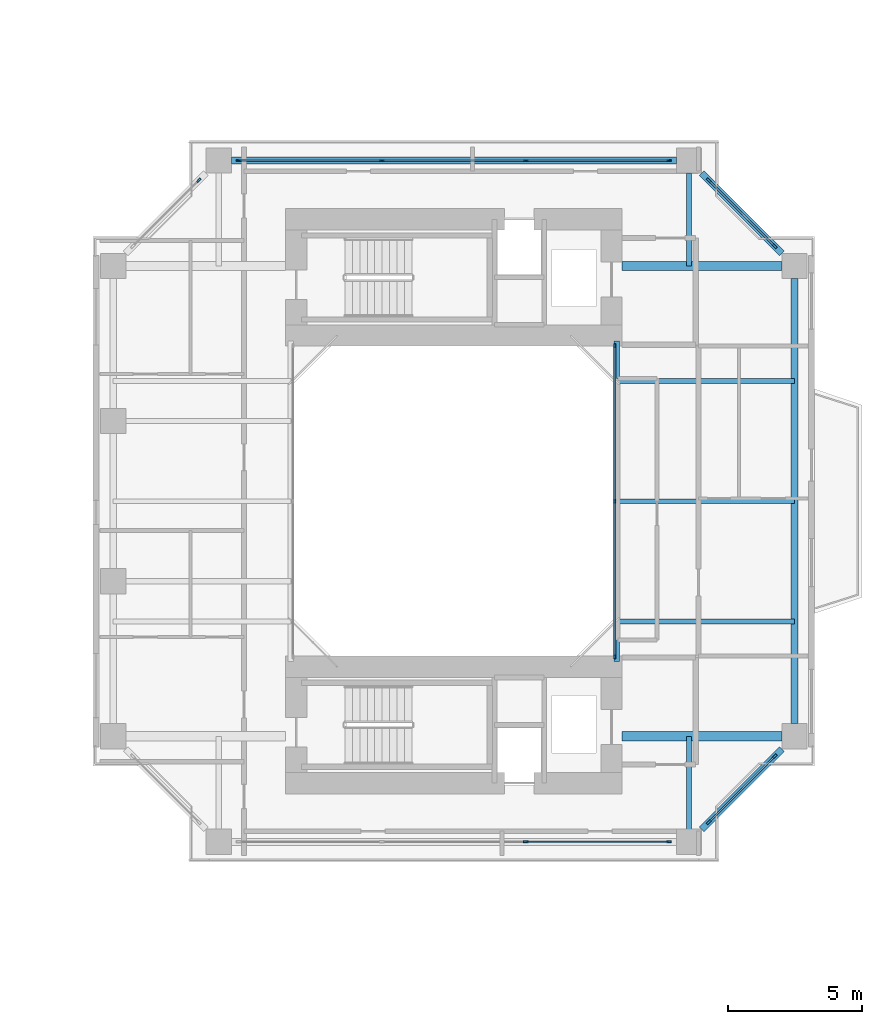
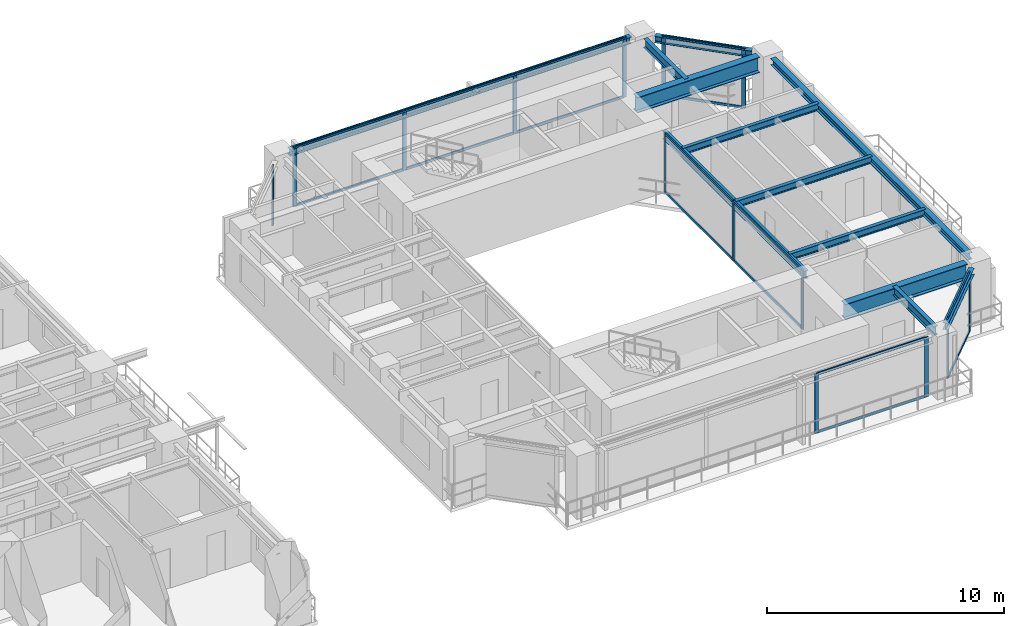
# One storey, part 10 of 24: 30 members, 12 beams, 6 elements without a shape of their own.
"""IFC4 building model written with IfcOpenShell, lengths in metres."""

from ifc_helpers import new_model, si_unit, direction, frame, origin, origin_2d, place, context, subcontext, project, spatial, rectangle, i_section, extrude, source, transform, mapped, material, layer, layer_set, material_profile, profile_set, type_object, element, aggregate, save


model = new_model("IFC4")

# Units and contexts
model_context = context("Model", 3, precision=1e-05, world=origin(), true_north=direction((0.0, 1.0)))
body_context = subcontext(model_context, "Body", "Model", "MODEL_VIEW")
ifc_project = project(units=[si_unit("LENGTHUNIT", "METRE"), si_unit("AREAUNIT", "SQUARE_METRE"), si_unit("VOLUMEUNIT", "CUBIC_METRE"), si_unit("PLANEANGLEUNIT", "RADIAN"), si_unit("MASSUNIT", "GRAM", prefix="KILO"), si_unit("THERMODYNAMICTEMPERATUREUNIT", "KELVIN"), si_unit("POWERUNIT", "WATT")], contexts=[model_context])

# Site, building, storey
site_placement = place(None, origin())
site = spatial("IfcSite", under=ifc_project, at=site_placement, CompositionType="ELEMENT")
building_placement = place(site_placement, origin())
building = spatial("IfcBuilding", under=site, at=building_placement, Name="Qiaomeng Ring Towers", CompositionType="ELEMENT")
storey_placement = place(building_placement, frame((0.0, 0.0, 56.75)))
storey = spatial("IfcBuildingStorey", under=building, at=storey_placement, Name="L15", CompositionType="ELEMENT", Elevation=56.75)

# Beams
ifc_material_1 = material(Name="Steel Q355B", Category="steel")
ifc_material_profile_1 = material_profile(ifc_material_1, i_section(OverallWidth=0.25, OverallDepth=0.340087890625, WebThickness=0.009033203125, FlangeThickness=0.013916015625, FilletRadius=0.02001953125, at=origin_2d()), Name="HM 340x250x9x14")
ifc_profile_set_1 = profile_set([ifc_material_profile_1], Name="Steel Q355B")
beam_type_1 = type_object("IfcBeamType", Name="STR-BM-HM340", PredefinedType="SPANDREL", material=ifc_profile_set_1)
shared_shape_1 = source(origin(), body_context, "Body", "SweptSolid", [
    extrude(i_section(OverallWidth=0.25, OverallDepth=0.340087890625, WebThickness=0.009033203125, FlangeThickness=0.013916015625, FilletRadius=0.02001953125, at=origin_2d()), origin(), (0.0, 0.0, 1.0), 16.65185546875),
])
for number, where, z_axis, x_axis, name in (
    (1, (73.25, 14.674072265625, 2.89990234375), (0.0, 1.0, 0.0), (-1.0, 0.0, 0.0), "L15 beam STR-SP-L15-T2-E1-E2"),
    (2, (68.825927734375, 35.75, 2.89990234375), (-1.0, 0.0, 0.0), (0.0, -1.0, 0.0), "L15 beam STR-SP-L15-T2-N2-N1"),
):
    element("IfcBeam", number, at=place(storey_placement, frame(where, z_axis=z_axis, x_axis=x_axis)), inside=storey, type_object=beam_type_1, Name=name, PredefinedType="SPANDREL", context=body_context, shape_type="MappedRepresentation", body=[
        mapped(shared_shape_1, transform((0.0, 0.0, 0.0), x_axis=(1.0, 0.0, 0.0), y_axis=(0.0, 1.0, 0.0), z_axis=(0.0, 0.0, 1.0), scale=1.0)),
    ])
shared_shape_2 = source(origin(), body_context, "Body", "SweptSolid", [
    extrude(i_section(OverallWidth=0.25, OverallDepth=0.340087890625, WebThickness=0.009033203125, FlangeThickness=0.013916015625, FilletRadius=0.02001953125, at=origin_2d()), origin(), (0.0, 0.0, 1.0), 4.244384765625),
])
for number, where, z_axis, x_axis, name in (
    (3, (69.7744140625, 10.724365234375, 2.89990234375), (0.707106781187, 0.707106781187, 0.0), (-0.707106781187, 0.707106781187, 0.0), "L15 beam STR-SP-L15-T2-S2-E1"),
    (4, (72.775634765625, 32.2744140625, 2.89990234375), (-0.707106781187, 0.707106781187, 0.0), (-0.707106781187, -0.707106781187, 0.0), "L15 beam STR-SP-L15-T2-E2-N2"),
):
    element("IfcBeam", number, at=place(storey_placement, frame(where, z_axis=z_axis, x_axis=x_axis)), inside=storey, type_object=beam_type_1, Name=name, PredefinedType="SPANDREL", context=body_context, shape_type="MappedRepresentation", body=[
        mapped(shared_shape_2, transform((0.0, 0.0, 0.0), x_axis=(1.0, 0.0, 0.0), y_axis=(0.0, 1.0, 0.0), z_axis=(0.0, 0.0, 1.0), scale=1.0)),
    ])
ifc_material_profile_2 = material_profile(ifc_material_1, i_section(OverallWidth=0.199951171875, OverallDepth=0.39990234375, WebThickness=0.008056640625, FlangeThickness=0.012939453125, FilletRadius=0.01611328125, at=origin_2d()), Name="HN 400x200x8x13")
ifc_profile_set_2 = profile_set([ifc_material_profile_2], Name="Steel Q355B")
beam_type_2 = type_object("IfcBeamType", Name="STR-BM-HN400", PredefinedType="SPANDREL", material=ifc_profile_set_2)
shared_shape_3 = source(origin(), body_context, "Body", "SweptSolid", [
    extrude(i_section(OverallWidth=0.199951171875, OverallDepth=0.39990234375, WebThickness=0.008056640625, FlangeThickness=0.012939453125, FilletRadius=0.01611328125, at=origin_2d()), origin(), (0.0, 0.0, 1.0), 12.0),
])
beam_placement = place(storey_placement, frame((66.60009765625, 17.0, 2.8701171875), z_axis=(0.0, 1.0, 0.0), x_axis=(-1.0, 0.0, 0.0)))
element("IfcBeam", 5, at=beam_placement, inside=storey, type_object=beam_type_2, Name="L15 beam STR-BM-L15-T2-WELL-E", PredefinedType="SPANDREL", context=body_context, shape_type="MappedRepresentation", body=[
    mapped(shared_shape_3, transform((0.0, 0.0, 0.0), x_axis=(1.0, 0.0, 0.0), y_axis=(0.0, 1.0, 0.0), z_axis=(0.0, 0.0, 1.0), scale=1.0)),
])
ifc_material_2 = material(Name="Steel Q390GJC", Category="steel")
ifc_material_profile_3 = material_profile(ifc_material_2, i_section(OverallWidth=0.35009765625, OverallDepth=0.800048828125, WebThickness=0.01611328125, FlangeThickness=0.028076171875, at=origin_2d()), Name="WH 800x350x16x28")
ifc_profile_set_3 = profile_set([ifc_material_profile_3], Name="Steel Q390GJC")
beam_type_3 = type_object("IfcBeamType", Name="STR-BM-WH800", PredefinedType="BEAM", material=ifc_profile_set_3)
shared_shape_4 = source(origin(), body_context, "Body", "SweptSolid", [
    extrude(i_section(OverallWidth=0.35009765625, OverallDepth=0.800048828125, WebThickness=0.01611328125, FlangeThickness=0.028076171875, at=origin_2d()), origin(), (0.0, 0.0, 1.0), 5.975830078125),
])
for number, where, z_axis, x_axis, name in (
    (6, (66.800048828125, 14.199951171875, 2.669921875), (1.0, 0.0, 0.0), (0.0, 1.0, 0.0), "L15 beam STR-BM-L15-T2-RAD-E1"),
    (7, (66.800048828125, 31.800048828125, 2.669921875), (1.0, 0.0, 0.0), (0.0, 1.0, 0.0), "L15 beam STR-BM-L15-T2-RAD-E2"),
):
    element("IfcBeam", number, at=place(storey_placement, frame(where, z_axis=z_axis, x_axis=x_axis)), inside=storey, type_object=beam_type_3, Name=name, PredefinedType="BEAM", context=body_context, shape_type="MappedRepresentation", body=[
        mapped(shared_shape_4, transform((0.0, 0.0, 0.0), x_axis=(1.0, 0.0, 0.0), y_axis=(0.0, 1.0, 0.0), z_axis=(0.0, 0.0, 1.0), scale=1.0)),
    ])
ifc_material_profile_4 = material_profile(ifc_material_1, i_section(OverallWidth=0.199951171875, OverallDepth=0.449951171875, WebThickness=0.009033203125, FlangeThickness=0.013916015625, FilletRadius=0.01806640625, at=origin_2d()), Name="HN 450x200x9x14")
ifc_profile_set_4 = profile_set([ifc_material_profile_4], Name="Steel Q355B")
beam_type_4 = type_object("IfcBeamType", Name="STR-BM-HN450", PredefinedType="SPANDREL", material=ifc_profile_set_4)
shared_shape_5 = source(origin(), body_context, "Body", "SweptSolid", [
    extrude(i_section(OverallWidth=0.199951171875, OverallDepth=0.449951171875, WebThickness=0.009033203125, FlangeThickness=0.013916015625, FilletRadius=0.01806640625, at=origin_2d()), origin(), (0.0, 0.0, 1.0), 3.475830078125),
])
for number, where, z_axis, x_axis, name in (
    (8, (69.300048828125, 35.27587890625, 2.844970703125), (0.0, -1.0, 0.0), (1.0, 0.0, 0.0), "L15 beam STR-BM-L15-T2-RAD-N2"),
    (9, (69.300048828125, 10.72412109375, 2.844970703125), (0.0, 1.0, 0.0), (-1.0, 0.0, 0.0), "L15 beam STR-BM-L15-T2-RAD-S2"),
):
    element("IfcBeam", number, at=place(storey_placement, frame(where, z_axis=z_axis, x_axis=x_axis)), inside=storey, type_object=beam_type_4, Name=name, PredefinedType="SPANDREL", context=body_context, shape_type="MappedRepresentation", body=[
        mapped(shared_shape_5, transform((0.0, 0.0, 0.0), x_axis=(1.0, 0.0, 0.0), y_axis=(0.0, 1.0, 0.0), z_axis=(0.0, 0.0, 1.0), scale=1.0)),
    ])
ifc_material_profile_5 = material_profile(ifc_material_1, i_section(OverallWidth=0.175048828125, OverallDepth=0.35009765625, WebThickness=0.007080078125, FlangeThickness=0.010986328125, FilletRadius=0.013916015625, at=origin_2d()), Name="HN 350x175x7x11")
ifc_profile_set_5 = profile_set([ifc_material_profile_5], Name="Steel Q355B")
beam_type_5 = type_object("IfcBeamType", Name="STR-BM-HN350", PredefinedType="JOIST", material=ifc_profile_set_5)
shared_shape_6 = source(origin(), body_context, "Body", "SweptSolid", [
    extrude(i_section(OverallWidth=0.175048828125, OverallDepth=0.35009765625, WebThickness=0.007080078125, FlangeThickness=0.010986328125, FilletRadius=0.013916015625, at=origin_2d()), origin(), (0.0, 0.0, 1.0), 6.64990234375),
])
for number, where, z_axis, x_axis, name in (
    (10, (66.60009765625, 18.5, 2.89501953125), (1.0, 0.0, 0.0), (0.0, 1.0, 0.0), "L15 beam STR-JST-L15-T2E-1"),
    (11, (66.60009765625, 23.0, 2.89501953125), (1.0, 0.0, 0.0), (0.0, 1.0, 0.0), "L15 beam STR-JST-L15-T2E-2"),
    (12, (66.60009765625, 27.5, 2.89501953125), (1.0, 0.0, 0.0), (0.0, 1.0, 0.0), "L15 beam STR-JST-L15-T2E-3"),
):
    element("IfcBeam", number, at=place(storey_placement, frame(where, z_axis=z_axis, x_axis=x_axis)), inside=storey, type_object=beam_type_5, Name=name, PredefinedType="JOIST", context=body_context, shape_type="MappedRepresentation", body=[
        mapped(shared_shape_6, transform((0.0, 0.0, 0.0), x_axis=(1.0, 0.0, 0.0), y_axis=(0.0, 1.0, 0.0), z_axis=(0.0, 0.0, 1.0), scale=1.0)),
    ])

# Curtain wall, members
ifc_material_3 = material(Name="Fluorocarbon dark-grey aluminium", Category="aluminium")
ifc_layer_1 = layer(ifc_material_3, 0.139892578125, Name="Fluorocarbon dark-grey aluminium")
ifc_layer_set_1 = layer_set([ifc_layer_1], Name="Fluorocarbon dark-grey aluminium")
curtain_wall_type_1 = type_object("IfcCurtainWallType", Name="ARC-CW-4", PredefinedType="NOTDEFINED", material=ifc_layer_set_1)
curtain_wall_1_placement = place(storey_placement, origin())
curtain_wall_1 = element("IfcCurtainWall", 13, at=curtain_wall_1_placement, inside=storey, type_object=curtain_wall_type_1, Name="L15 Curtain Wall CW4", PredefinedType="NOTDEFINED")
ifc_material_profile_6 = material_profile(ifc_material_3, rectangle(XDim=0.06494140625, YDim=0.159912109375, at=origin_2d()), Name="ALU MULL 65x160")
ifc_profile_set_6 = profile_set([ifc_material_profile_6], Name="Fluorocarbon dark-grey aluminium")
member_type_1 = type_object("IfcMemberType", Name="ARC-CWM-140", PredefinedType="MULLION", material=ifc_profile_set_6)
shared_shape_7 = source(origin(), body_context, "Body", "SweptSolid", [
    extrude(rectangle(XDim=0.06494140625, YDim=0.159912109375, at=origin_2d()), origin(), (0.0, 0.0, 1.0), 3.070068359375),
])
member_1_placement = place(storey_placement, frame((66.52001953125, 17.1826171875, 0.0), z_axis=(0.0, 0.0, 1.0), x_axis=(-1.0, 0.0, 0.0)))
member_1 = element("IfcMember", 14, at=member_1_placement, type_object=member_type_1, Name="CW4 mullion 1", PredefinedType="MULLION", context=body_context, shape_type="MappedRepresentation", body=[
    mapped(shared_shape_7, transform((0.0, 0.0, 0.0), x_axis=(1.0, 0.0, 0.0), y_axis=(0.0, 1.0, 0.0), z_axis=(0.0, 0.0, 1.0), scale=1.0)),
])
member_2_placement = place(storey_placement, frame((66.52001953125, 23.0, 0.0), z_axis=(0.0, 0.0, 1.0), x_axis=(-1.0, 0.0, 0.0)))
member_2 = element("IfcMember", 15, at=member_2_placement, type_object=member_type_1, Name="CW4 mullion 2", PredefinedType="MULLION", context=body_context, shape_type="MappedRepresentation", body=[
    mapped(shared_shape_7, transform((0.0, 0.0, 0.0), x_axis=(1.0, 0.0, 0.0), y_axis=(0.0, 1.0, 0.0), z_axis=(0.0, 0.0, 1.0), scale=1.0)),
])
member_3_placement = place(storey_placement, frame((66.52001953125, 28.8173828125, 0.0), z_axis=(0.0, 0.0, 1.0), x_axis=(-1.0, 0.0, 0.0)))
member_3 = element("IfcMember", 16, at=member_3_placement, type_object=member_type_1, Name="CW4 mullion 3", PredefinedType="MULLION", context=body_context, shape_type="MappedRepresentation", body=[
    mapped(shared_shape_7, transform((0.0, 0.0, 0.0), x_axis=(1.0, 0.0, 0.0), y_axis=(0.0, 1.0, 0.0), z_axis=(0.0, 0.0, 1.0), scale=1.0)),
])
ifc_material_profile_7 = material_profile(ifc_material_3, rectangle(XDim=0.06494140625, YDim=0.1298828125, at=origin_2d()), Name="ALU TRAN 65x130")
ifc_profile_set_7 = profile_set([ifc_material_profile_7], Name="Fluorocarbon dark-grey aluminium")
member_type_2 = type_object("IfcMemberType", Name="ARC-CWT-120", PredefinedType="USERDEFINED", material=ifc_profile_set_7)
shared_shape_8 = source(origin(), body_context, "Body", "SweptSolid", [
    extrude(rectangle(XDim=0.06494140625, YDim=0.1298828125, at=origin_2d()), origin(), (0.0, 0.0, 1.0), 5.75244140625),
])
member_4_placement = place(storey_placement, frame((66.52001953125, 17.215087890625, 0.032470703125), z_axis=(0.0, 1.0, 0.0), x_axis=(-1.0, 0.0, 0.0)))
member_4 = element("IfcMember", 17, at=member_4_placement, type_object=member_type_2, Name="CW4 transom 1.1", ObjectType="TRANSOM", PredefinedType="USERDEFINED", context=body_context, shape_type="MappedRepresentation", body=[
    mapped(shared_shape_8, transform((0.0, 0.0, 0.0), x_axis=(1.0, 0.0, 0.0), y_axis=(0.0, 1.0, 0.0), z_axis=(0.0, 0.0, 1.0), scale=1.0)),
])
member_5_placement = place(storey_placement, frame((66.52001953125, 17.215087890625, 3.03759765625), z_axis=(0.0, 1.0, 0.0), x_axis=(-1.0, 0.0, 0.0)))
member_5 = element("IfcMember", 18, at=member_5_placement, type_object=member_type_2, Name="CW4 transom 1.2", ObjectType="TRANSOM", PredefinedType="USERDEFINED", context=body_context, shape_type="MappedRepresentation", body=[
    mapped(shared_shape_8, transform((0.0, 0.0, 0.0), x_axis=(1.0, 0.0, 0.0), y_axis=(0.0, 1.0, 0.0), z_axis=(0.0, 0.0, 1.0), scale=1.0)),
])
member_6_placement = place(storey_placement, frame((66.52001953125, 23.032470703125, 0.032470703125), z_axis=(0.0, 1.0, 0.0), x_axis=(-1.0, 0.0, 0.0)))
member_6 = element("IfcMember", 19, at=member_6_placement, type_object=member_type_2, Name="CW4 transom 2.1", ObjectType="TRANSOM", PredefinedType="USERDEFINED", context=body_context, shape_type="MappedRepresentation", body=[
    mapped(shared_shape_8, transform((0.0, 0.0, 0.0), x_axis=(1.0, 0.0, 0.0), y_axis=(0.0, 1.0, 0.0), z_axis=(0.0, 0.0, 1.0), scale=1.0)),
])
member_7_placement = place(storey_placement, frame((66.52001953125, 23.032470703125, 3.03759765625), z_axis=(0.0, 1.0, 0.0), x_axis=(-1.0, 0.0, 0.0)))
member_7 = element("IfcMember", 20, at=member_7_placement, type_object=member_type_2, Name="CW4 transom 2.2", ObjectType="TRANSOM", PredefinedType="USERDEFINED", context=body_context, shape_type="MappedRepresentation", body=[
    mapped(shared_shape_8, transform((0.0, 0.0, 0.0), x_axis=(1.0, 0.0, 0.0), y_axis=(0.0, 1.0, 0.0), z_axis=(0.0, 0.0, 1.0), scale=1.0)),
])
aggregate(curtain_wall_1, [member_1, member_2, member_3, member_4, member_5, member_6, member_7])

ifc_layer_2 = layer(ifc_material_3, 0.14990234375, Name="Fluorocarbon dark-grey aluminium")
ifc_layer_set_2 = layer_set([ifc_layer_2], Name="Fluorocarbon dark-grey aluminium")
curtain_wall_type_2 = type_object("IfcCurtainWallType", Name="ARC-CW-5", PredefinedType="NOTDEFINED", material=ifc_layer_set_2)
curtain_wall_2_placement = place(storey_placement, origin())
curtain_wall_2 = element("IfcCurtainWall", 21, at=curtain_wall_2_placement, inside=storey, type_object=curtain_wall_type_2, Name="L15 Curtain Wall CW5", PredefinedType="NOTDEFINED")
ifc_material_profile_8 = material_profile(ifc_material_3, rectangle(XDim=0.070068359375, YDim=0.179931640625, at=origin_2d()), Name="ALU MULL 70x180")
ifc_profile_set_8 = profile_set([ifc_material_profile_8], Name="Fluorocarbon dark-grey aluminium")
member_type_3 = type_object("IfcMemberType", Name="ARC-CWM-160", PredefinedType="MULLION", material=ifc_profile_set_8)
shared_shape_9 = source(origin(), body_context, "Body", "SweptSolid", [
    extrude(rectangle(XDim=0.070068359375, YDim=0.179931640625, at=origin_2d()), origin(), (0.0, 0.0, 1.0), 3.070068359375),
])
member_8_placement = place(storey_placement, frame((52.449951171875, 35.75, 0.0), z_axis=(0.0, 0.0, 1.0), x_axis=(0.0, 1.0, 0.0)))
member_8 = element("IfcMember", 22, at=member_8_placement, type_object=member_type_3, Name="CW5 mullion 1", PredefinedType="MULLION", context=body_context, shape_type="MappedRepresentation", body=[
    mapped(shared_shape_9, transform((0.0, 0.0, 0.0), x_axis=(1.0, 0.0, 0.0), y_axis=(0.0, 1.0, 0.0), z_axis=(0.0, 0.0, 1.0), scale=1.0)),
])
member_9_placement = place(storey_placement, frame((57.804931640625, 35.75, 0.0), z_axis=(0.0, 0.0, 1.0), x_axis=(0.0, 1.0, 0.0)))
member_9 = element("IfcMember", 23, at=member_9_placement, type_object=member_type_3, Name="CW5 mullion 2", PredefinedType="MULLION", context=body_context, shape_type="MappedRepresentation", body=[
    mapped(shared_shape_9, transform((0.0, 0.0, 0.0), x_axis=(1.0, 0.0, 0.0), y_axis=(0.0, 1.0, 0.0), z_axis=(0.0, 0.0, 1.0), scale=1.0)),
])
member_10_placement = place(storey_placement, frame((63.195068359375, 35.75, 0.0), z_axis=(0.0, 0.0, 1.0), x_axis=(0.0, 1.0, 0.0)))
member_10 = element("IfcMember", 24, at=member_10_placement, type_object=member_type_3, Name="CW5 mullion 3", PredefinedType="MULLION", context=body_context, shape_type="MappedRepresentation", body=[
    mapped(shared_shape_9, transform((0.0, 0.0, 0.0), x_axis=(1.0, 0.0, 0.0), y_axis=(0.0, 1.0, 0.0), z_axis=(0.0, 0.0, 1.0), scale=1.0)),
])
member_11_placement = place(storey_placement, frame((68.550048828125, 35.75, 0.0), z_axis=(0.0, 0.0, 1.0), x_axis=(0.0, 1.0, 0.0)))
member_11 = element("IfcMember", 25, at=member_11_placement, type_object=member_type_3, Name="CW5 mullion 4", PredefinedType="MULLION", context=body_context, shape_type="MappedRepresentation", body=[
    mapped(shared_shape_9, transform((0.0, 0.0, 0.0), x_axis=(1.0, 0.0, 0.0), y_axis=(0.0, 1.0, 0.0), z_axis=(0.0, 0.0, 1.0), scale=1.0)),
])

curtain_wall_3_placement = place(storey_placement, origin())
curtain_wall_3 = element("IfcCurtainWall", 26, at=curtain_wall_3_placement, inside=storey, type_object=curtain_wall_type_2, Name="L15 Curtain Wall CW5", PredefinedType="NOTDEFINED")
member_12_placement = place(storey_placement, frame((70.039794921875, 10.98974609375, 0.0), z_axis=(0.0, 0.0, 1.0), x_axis=(-0.707106781187, 0.707106781187, 0.0)))
member_12 = element("IfcMember", 27, at=member_12_placement, type_object=member_type_3, Name="CW5 mullion 1", PredefinedType="MULLION", context=body_context, shape_type="MappedRepresentation", body=[
    mapped(shared_shape_9, transform((0.0, 0.0, 0.0), x_axis=(1.0, 0.0, 0.0), y_axis=(0.0, 1.0, 0.0), z_axis=(0.0, 0.0, 1.0), scale=1.0)),
])
member_13_placement = place(storey_placement, frame((72.51025390625, 13.460205078125, 0.0), z_axis=(0.0, 0.0, 1.0), x_axis=(-0.707106781187, 0.707106781187, 0.0)))
member_13 = element("IfcMember", 28, at=member_13_placement, type_object=member_type_3, Name="CW5 mullion 2", PredefinedType="MULLION", context=body_context, shape_type="MappedRepresentation", body=[
    mapped(shared_shape_9, transform((0.0, 0.0, 0.0), x_axis=(1.0, 0.0, 0.0), y_axis=(0.0, 1.0, 0.0), z_axis=(0.0, 0.0, 1.0), scale=1.0)),
])

curtain_wall_4_placement = place(storey_placement, origin())
curtain_wall_4 = element("IfcCurtainWall", 29, at=curtain_wall_4_placement, inside=storey, type_object=curtain_wall_type_2, Name="L15 Curtain Wall CW5", PredefinedType="NOTDEFINED")
member_14_placement = place(storey_placement, frame((72.51025390625, 32.539794921875, 0.0), z_axis=(0.0, 0.0, 1.0), x_axis=(-0.707106781187, -0.707106781187, 0.0)))
member_14 = element("IfcMember", 30, at=member_14_placement, type_object=member_type_3, Name="CW5 mullion 1", PredefinedType="MULLION", context=body_context, shape_type="MappedRepresentation", body=[
    mapped(shared_shape_9, transform((0.0, 0.0, 0.0), x_axis=(1.0, 0.0, 0.0), y_axis=(0.0, 1.0, 0.0), z_axis=(0.0, 0.0, 1.0), scale=1.0)),
])
member_15_placement = place(storey_placement, frame((70.039794921875, 35.01025390625, 0.0), z_axis=(0.0, 0.0, 1.0), x_axis=(-0.707106781187, -0.707106781187, 0.0)))
member_15 = element("IfcMember", 31, at=member_15_placement, type_object=member_type_3, Name="CW5 mullion 2", PredefinedType="MULLION", context=body_context, shape_type="MappedRepresentation", body=[
    mapped(shared_shape_9, transform((0.0, 0.0, 0.0), x_axis=(1.0, 0.0, 0.0), y_axis=(0.0, 1.0, 0.0), z_axis=(0.0, 0.0, 1.0), scale=1.0)),
])

# Curtain wall, member
curtain_wall_5_placement = place(storey_placement, origin())
curtain_wall_5 = element("IfcCurtainWall", 32, at=curtain_wall_5_placement, inside=storey, type_object=curtain_wall_type_2, Name="L15 Curtain Wall CW5", PredefinedType="NOTDEFINED")
member_16_placement = place(storey_placement, frame((50.960205078125, 35.01025390625, 0.0), z_axis=(0.0, 0.0, 1.0), x_axis=(0.707106781187, -0.707106781187, 0.0)))
member_16 = element("IfcMember", 33, at=member_16_placement, type_object=member_type_3, Name="CW5 mullion 1", PredefinedType="MULLION", context=body_context, shape_type="MappedRepresentation", body=[
    mapped(shared_shape_9, transform((0.0, 0.0, 0.0), x_axis=(1.0, 0.0, 0.0), y_axis=(0.0, 1.0, 0.0), z_axis=(0.0, 0.0, 1.0), scale=1.0)),
])
aggregate(curtain_wall_5, [member_16])

# Curtain wall, members
curtain_wall_6_placement = place(storey_placement, origin())
curtain_wall_6 = element("IfcCurtainWall", 34, at=curtain_wall_6_placement, inside=storey, type_object=curtain_wall_type_2, Name="L15 Curtain Wall CW5", PredefinedType="NOTDEFINED")
member_17_placement = place(storey_placement, frame((63.195068359375, 10.25, 0.0), z_axis=(0.0, 0.0, 1.0), x_axis=(0.0, 1.0, 0.0)))
member_17 = element("IfcMember", 35, at=member_17_placement, type_object=member_type_3, Name="CW5 mullion 3", PredefinedType="MULLION", context=body_context, shape_type="MappedRepresentation", body=[
    mapped(shared_shape_9, transform((0.0, 0.0, 0.0), x_axis=(1.0, 0.0, 0.0), y_axis=(0.0, 1.0, 0.0), z_axis=(0.0, 0.0, 1.0), scale=1.0)),
])
member_18_placement = place(storey_placement, frame((68.550048828125, 10.25, 0.0), z_axis=(0.0, 0.0, 1.0), x_axis=(0.0, 1.0, 0.0)))
member_18 = element("IfcMember", 36, at=member_18_placement, type_object=member_type_3, Name="CW5 mullion 4", PredefinedType="MULLION", context=body_context, shape_type="MappedRepresentation", body=[
    mapped(shared_shape_9, transform((0.0, 0.0, 0.0), x_axis=(1.0, 0.0, 0.0), y_axis=(0.0, 1.0, 0.0), z_axis=(0.0, 0.0, 1.0), scale=1.0)),
])

# Member
shared_shape_10 = source(origin(), body_context, "Body", "SweptSolid", [
    extrude(rectangle(XDim=0.06494140625, YDim=0.1298828125, at=origin_2d()), origin(), (0.0, 0.0, 1.0), 5.284912109375),
])
member_19_placement = place(storey_placement, frame((52.485107421875, 35.75, 0.032470703125), z_axis=(1.0, 0.0, 0.0), x_axis=(0.0, 1.0, 0.0)))
member_19 = element("IfcMember", 37, at=member_19_placement, type_object=member_type_2, Name="CW5 transom 1.1", ObjectType="TRANSOM", PredefinedType="USERDEFINED", context=body_context, shape_type="MappedRepresentation", body=[
    mapped(shared_shape_10, transform((0.0, 0.0, 0.0), x_axis=(1.0, 0.0, 0.0), y_axis=(0.0, 1.0, 0.0), z_axis=(0.0, 0.0, 1.0), scale=1.0)),
])

member_20_placement = place(storey_placement, frame((52.485107421875, 35.75, 3.03759765625), z_axis=(1.0, 0.0, 0.0), x_axis=(0.0, 1.0, 0.0)))
member_20 = element("IfcMember", 38, at=member_20_placement, type_object=member_type_2, Name="CW5 transom 1.2", ObjectType="TRANSOM", PredefinedType="USERDEFINED", context=body_context, shape_type="MappedRepresentation", body=[
    mapped(shared_shape_10, transform((0.0, 0.0, 0.0), x_axis=(1.0, 0.0, 0.0), y_axis=(0.0, 1.0, 0.0), z_axis=(0.0, 0.0, 1.0), scale=1.0)),
])

member_21_placement = place(storey_placement, frame((63.22998046875, 35.75, 0.032470703125), z_axis=(1.0, 0.0, 0.0), x_axis=(0.0, 1.0, 0.0)))
member_21 = element("IfcMember", 39, at=member_21_placement, type_object=member_type_2, Name="CW5 transom 3.1", ObjectType="TRANSOM", PredefinedType="USERDEFINED", context=body_context, shape_type="MappedRepresentation", body=[
    mapped(shared_shape_10, transform((0.0, 0.0, 0.0), x_axis=(1.0, 0.0, 0.0), y_axis=(0.0, 1.0, 0.0), z_axis=(0.0, 0.0, 1.0), scale=1.0)),
])

member_22_placement = place(storey_placement, frame((63.22998046875, 35.75, 3.03759765625), z_axis=(1.0, 0.0, 0.0), x_axis=(0.0, 1.0, 0.0)))
member_22 = element("IfcMember", 40, at=member_22_placement, type_object=member_type_2, Name="CW5 transom 3.2", ObjectType="TRANSOM", PredefinedType="USERDEFINED", context=body_context, shape_type="MappedRepresentation", body=[
    mapped(shared_shape_10, transform((0.0, 0.0, 0.0), x_axis=(1.0, 0.0, 0.0), y_axis=(0.0, 1.0, 0.0), z_axis=(0.0, 0.0, 1.0), scale=1.0)),
])

member_23_placement = place(storey_placement, frame((63.22998046875, 10.25, 0.032470703125), z_axis=(1.0, 0.0, 0.0), x_axis=(0.0, 1.0, 0.0)))
member_23 = element("IfcMember", 41, at=member_23_placement, type_object=member_type_2, Name="CW5 transom 3.1", ObjectType="TRANSOM", PredefinedType="USERDEFINED", context=body_context, shape_type="MappedRepresentation", body=[
    mapped(shared_shape_10, transform((0.0, 0.0, 0.0), x_axis=(1.0, 0.0, 0.0), y_axis=(0.0, 1.0, 0.0), z_axis=(0.0, 0.0, 1.0), scale=1.0)),
])

member_24_placement = place(storey_placement, frame((63.22998046875, 10.25, 3.03759765625), z_axis=(1.0, 0.0, 0.0), x_axis=(0.0, 1.0, 0.0)))
member_24 = element("IfcMember", 42, at=member_24_placement, type_object=member_type_2, Name="CW5 transom 3.2", ObjectType="TRANSOM", PredefinedType="USERDEFINED", context=body_context, shape_type="MappedRepresentation", body=[
    mapped(shared_shape_10, transform((0.0, 0.0, 0.0), x_axis=(1.0, 0.0, 0.0), y_axis=(0.0, 1.0, 0.0), z_axis=(0.0, 0.0, 1.0), scale=1.0)),
])

aggregate(curtain_wall_6, [member_17, member_18, member_23, member_24])

shared_shape_11 = source(origin(), body_context, "Body", "SweptSolid", [
    extrude(rectangle(XDim=0.06494140625, YDim=0.1298828125, at=origin_2d()), origin(), (0.0, 0.0, 1.0), 5.31982421875),
])
member_25_placement = place(storey_placement, frame((57.840087890625, 35.75, 0.032470703125), z_axis=(1.0, 0.0, 0.0), x_axis=(0.0, 1.0, 0.0)))
member_25 = element("IfcMember", 43, at=member_25_placement, type_object=member_type_2, Name="CW5 transom 2.1", ObjectType="TRANSOM", PredefinedType="USERDEFINED", context=body_context, shape_type="MappedRepresentation", body=[
    mapped(shared_shape_11, transform((0.0, 0.0, 0.0), x_axis=(1.0, 0.0, 0.0), y_axis=(0.0, 1.0, 0.0), z_axis=(0.0, 0.0, 1.0), scale=1.0)),
])

member_26_placement = place(storey_placement, frame((57.840087890625, 35.75, 3.03759765625), z_axis=(1.0, 0.0, 0.0), x_axis=(0.0, 1.0, 0.0)))
member_26 = element("IfcMember", 44, at=member_26_placement, type_object=member_type_2, Name="CW5 transom 2.2", ObjectType="TRANSOM", PredefinedType="USERDEFINED", context=body_context, shape_type="MappedRepresentation", body=[
    mapped(shared_shape_11, transform((0.0, 0.0, 0.0), x_axis=(1.0, 0.0, 0.0), y_axis=(0.0, 1.0, 0.0), z_axis=(0.0, 0.0, 1.0), scale=1.0)),
])

aggregate(curtain_wall_2, [member_8, member_9, member_10, member_11, member_19, member_20, member_25, member_26, member_21, member_22])

shared_shape_12 = source(origin(), body_context, "Body", "SweptSolid", [
    extrude(rectangle(XDim=0.06494140625, YDim=0.1298828125, at=origin_2d()), origin(), (0.0, 0.0, 1.0), 3.424072265625),
])
member_27_placement = place(storey_placement, frame((70.064453125, 11.014404296875, 0.032470703125), z_axis=(0.707106781187, 0.707106781187, 0.0), x_axis=(-0.707106781187, 0.707106781187, 0.0)))
member_27 = element("IfcMember", 45, at=member_27_placement, type_object=member_type_2, Name="CW5 transom 1.1", ObjectType="TRANSOM", PredefinedType="USERDEFINED", context=body_context, shape_type="MappedRepresentation", body=[
    mapped(shared_shape_12, transform((0.0, 0.0, 0.0), x_axis=(1.0, 0.0, 0.0), y_axis=(0.0, 1.0, 0.0), z_axis=(0.0, 0.0, 1.0), scale=1.0)),
])

member_28_placement = place(storey_placement, frame((70.064453125, 11.014404296875, 3.03759765625), z_axis=(0.707106781187, 0.707106781187, 0.0), x_axis=(-0.707106781187, 0.707106781187, 0.0)))
member_28 = element("IfcMember", 46, at=member_28_placement, type_object=member_type_2, Name="CW5 transom 1.2", ObjectType="TRANSOM", PredefinedType="USERDEFINED", context=body_context, shape_type="MappedRepresentation", body=[
    mapped(shared_shape_12, transform((0.0, 0.0, 0.0), x_axis=(1.0, 0.0, 0.0), y_axis=(0.0, 1.0, 0.0), z_axis=(0.0, 0.0, 1.0), scale=1.0)),
])

aggregate(curtain_wall_3, [member_12, member_13, member_27, member_28])

member_29_placement = place(storey_placement, frame((72.485595703125, 32.564453125, 0.032470703125), z_axis=(-0.707106781187, 0.707106781187, 0.0), x_axis=(-0.707106781187, -0.707106781187, 0.0)))
member_29 = element("IfcMember", 47, at=member_29_placement, type_object=member_type_2, Name="CW5 transom 1.1", ObjectType="TRANSOM", PredefinedType="USERDEFINED", context=body_context, shape_type="MappedRepresentation", body=[
    mapped(shared_shape_12, transform((0.0, 0.0, 0.0), x_axis=(1.0, 0.0, 0.0), y_axis=(0.0, 1.0, 0.0), z_axis=(0.0, 0.0, 1.0), scale=1.0)),
])

member_30_placement = place(storey_placement, frame((72.485595703125, 32.564453125, 3.03759765625), z_axis=(-0.707106781187, 0.707106781187, 0.0), x_axis=(-0.707106781187, -0.707106781187, 0.0)))
member_30 = element("IfcMember", 48, at=member_30_placement, type_object=member_type_2, Name="CW5 transom 1.2", ObjectType="TRANSOM", PredefinedType="USERDEFINED", context=body_context, shape_type="MappedRepresentation", body=[
    mapped(shared_shape_12, transform((0.0, 0.0, 0.0), x_axis=(1.0, 0.0, 0.0), y_axis=(0.0, 1.0, 0.0), z_axis=(0.0, 0.0, 1.0), scale=1.0)),
])

aggregate(curtain_wall_4, [member_14, member_15, member_29, member_30])

save(model, "model.ifc")
